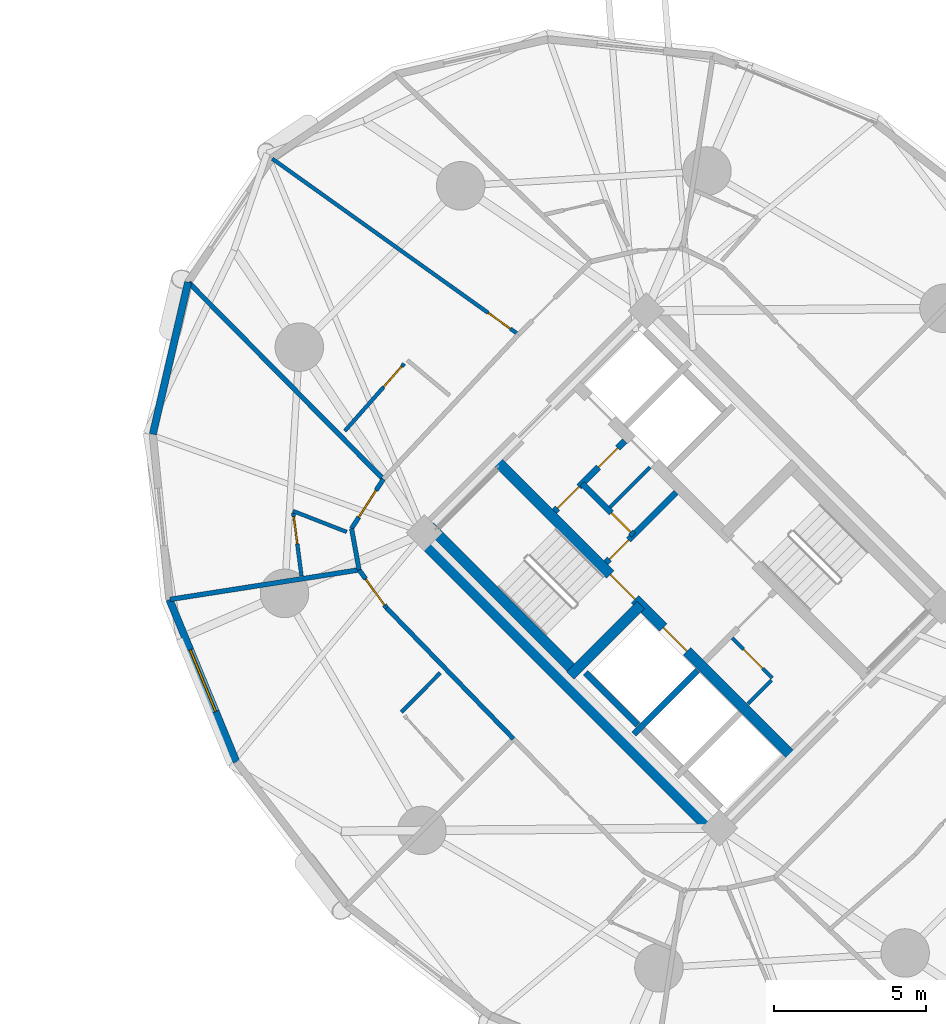
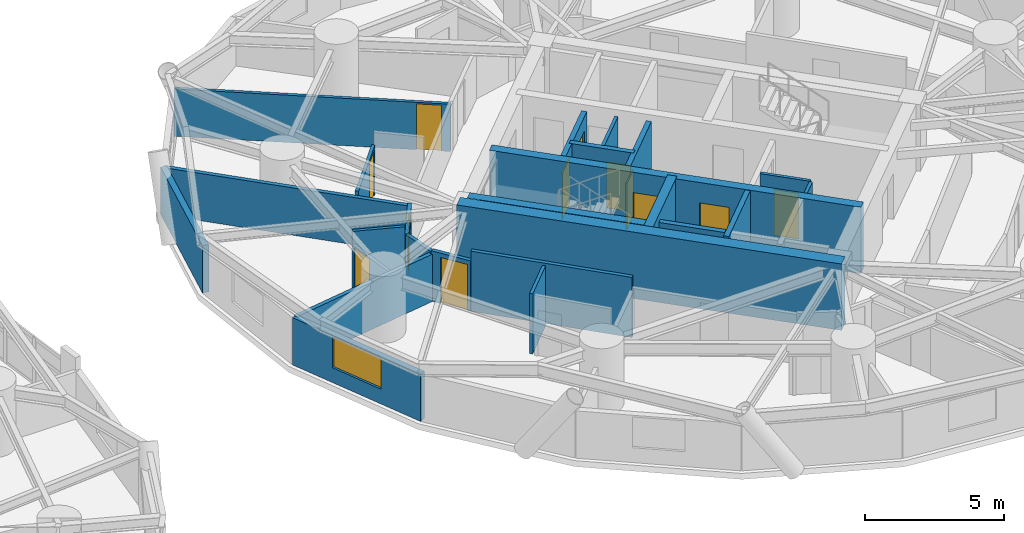
# One storey, part 13 of 18: 25 walls, 12 doors, 1 window, 13 openings.
"""IFC4 building model written with IfcOpenShell, lengths in metres."""

from ifc_helpers import new_model, si_unit, direction, frame, frame_2d, origin, place, context, subcontext, project, spatial, rectangle, extrude, source, transform, mapped, material, layer, layer_set, type_object, element, fill, save


model = new_model("IFC4")

# Units and contexts
model_context = context("Model", 3, precision=1e-05, world=origin(), true_north=direction((0.0, 1.0)))
body_context = subcontext(model_context, "Body", "Model", "MODEL_VIEW")
ifc_project = project(units=[si_unit("LENGTHUNIT", "METRE"), si_unit("AREAUNIT", "SQUARE_METRE"), si_unit("VOLUMEUNIT", "CUBIC_METRE"), si_unit("PLANEANGLEUNIT", "RADIAN"), si_unit("MASSUNIT", "GRAM", prefix="KILO")], contexts=[model_context])

# Site, building, storey
site_placement = place(None, origin())
site = spatial("IfcSite", under=ifc_project, at=site_placement, CompositionType="ELEMENT")
building_placement = place(site_placement, origin())
building = spatial("IfcBuilding", under=site, at=building_placement, Name="Cununo Teusaquillo Station Towers", CompositionType="ELEMENT")
storey_placement = place(building_placement, frame((0.0, 0.0, 54.010009765625)))
storey = spatial("IfcBuildingStorey", under=building, at=storey_placement, Name="L16", CompositionType="ELEMENT", Elevation=54.010009765625)

# Walls
ifc_material_1 = material(Name="Concrete C50/60", Category="concrete")
ifc_layer_1 = layer(ifc_material_1, 0.199951171875)
ifc_layer_set_1 = layer_set([ifc_layer_1], Name="Concrete C50/60")
wall_type_1 = type_object("IfcWallType", Name="WL-CORE-200", PredefinedType="SHEAR", material=ifc_layer_set_1)
wall_1_placement = place(storey_placement, frame((55.8876953125, 19.0693359375, 0.0), z_axis=(0.0, 0.0, 1.0), x_axis=(0.707106781187, 0.707106781187, 0.0)))
element("IfcWall", 1, at=wall_1_placement, inside=storey, type_object=wall_type_1, Name="L16 Tower B Firefighting Lift Shaft South Shear Wall", PredefinedType="SHEAR", context=body_context, shape_type="SweptSolid", body=[
    extrude(rectangle(XDim=2.969970703125, YDim=0.199951171875, at=frame_2d((1.48486328125, 0.0))), origin(), (0.0, 0.0, 1.0), 2.909912109375),
])
wall_2_placement = place(storey_placement, frame((56.01513671875, 19.366455078125, 0.0), z_axis=(0.0, 0.0, 1.0), x_axis=(-0.707106781187, 0.707106781187, 0.0)))
element("IfcWall", 2, at=wall_2_placement, inside=storey, type_object=wall_type_1, Name="L16 Tower B Firefighting Lift Shaft Rear Shear Wall", PredefinedType="SHEAR", context=body_context, shape_type="SweptSolid", body=[
    extrude(rectangle(XDim=2.43994140625, YDim=0.199951171875, at=frame_2d((1.219970703125, 0.0))), origin(), (0.0, 0.0, 1.0), 2.909912109375),
])

# Wall, openings, doors
ifc_material_2 = material(Name="Concrete C50/60", Category="concrete")
ifc_layer_2 = layer(ifc_material_2, 0.35009765625)
ifc_layer_set_2 = layer_set([ifc_layer_2], Name="Concrete C50/60")
wall_type_2 = type_object("IfcWallType", Name="WL-CORE-350", PredefinedType="SHEAR", material=ifc_layer_set_2)
wall_3_placement = place(storey_placement, frame((61.095703125, 18.337646484375, 0.0), z_axis=(0.0, 0.0, 1.0), x_axis=(-0.707106781187, 0.707106781187, 0.0)))
wall_3 = element("IfcWall", 3, at=wall_3_placement, inside=storey, type_object=wall_type_2, Name="L16 Tower B Core Shear Wall IW", PredefinedType="SHEAR", context=body_context, shape_type="SweptSolid", body=[
    extrude(rectangle(XDim=13.800048828125, YDim=0.35009765625, at=frame_2d((6.89990234375, 0.0))), origin(), (0.0, 0.0, 1.0), 2.909912109375),
])
shared_shape_1 = source(origin(), body_context, "Body", "SweptSolid", [
    extrude(rectangle(XDim=1.10009765625, YDim=2.014892578125, at=frame_2d((0.550048828125, 1.00732421875))), frame((0.0, 0.18505859375, 0.0), z_axis=(0.0, -1.0, 0.0), x_axis=(1.0, 0.0, 0.0)), (0.0, 0.0, 1.0), 0.3701171875),
])
opening_1_placement = place(wall_3_placement, frame((4.89990234375, 0.0, 0.0)))
opening_1 = element("IfcOpeningElement", 4, at=opening_1_placement, cuts=wall_3, Name="Opening LD-01", PredefinedType="OPENING", context=body_context, shape_type="MappedRepresentation", body=[
    mapped(shared_shape_1, transform((0.0, 0.0, 0.0), x_axis=(1.0, 0.0, 0.0), y_axis=(0.0, 1.0, 0.0), z_axis=(0.0, 0.0, 1.0), scale=1.0)),
])
shared_shape_2 = source(origin(), body_context, "Body", "SweptSolid", [
    extrude(rectangle(XDim=1.14990234375, YDim=2.02001953125, at=frame_2d((0.574951171875, 1.010009765625))), frame((0.0, 0.18505859375, 0.0), z_axis=(0.0, -1.0, 0.0), x_axis=(1.0, 0.0, 0.0)), (0.0, 0.0, 1.0), 0.3701171875),
])
opening_2_placement = place(wall_3_placement, frame((7.320068359375, 0.0, 0.0)))
opening_2 = element("IfcOpeningElement", 5, at=opening_2_placement, cuts=wall_3, Name="Opening D-ST1", PredefinedType="OPENING", context=body_context, shape_type="MappedRepresentation", body=[
    mapped(shared_shape_2, transform((0.0, 0.0, 0.0), x_axis=(1.0, 0.0, 0.0), y_axis=(0.0, 1.0, 0.0), z_axis=(0.0, 0.0, 1.0), scale=1.0)),
])
ifc_material_3 = material(Name="Galvanised fire-rated hollow steel door assembly", Category="steel")
door_type_1 = type_object("IfcDoorType", Name="DR-LIFT-1100", OperationType="SLIDING_TO_LEFT", PredefinedType="DOOR", material=ifc_material_3)
shared_shape_3 = source(origin(), body_context, "Body", "SweptSolid", [
    extrude(rectangle(XDim=1.10009765625, YDim=2.014892578125, at=frame_2d((0.550048828125, 1.00732421875))), frame((0.0, 0.02490234375, 0.0), z_axis=(0.0, -1.0, 0.0), x_axis=(1.0, 0.0, 0.0)), (0.0, 0.0, 1.0), 0.050048828125),
])
door_1_placement = place(opening_1_placement, origin())
door_1 = element("IfcDoor", 6, at=door_1_placement, inside=storey, type_object=door_type_1, Name="L16 Lift FL-T2 Sliding Landing Door", OperationType="SLIDING_TO_RIGHT", OverallHeight=2.014892578125, OverallWidth=1.10009765625, PredefinedType="DOOR", context=body_context, shape_type="MappedRepresentation", body=[
    mapped(shared_shape_3, transform((0.0, 0.0, 0.0), x_axis=(1.0, 0.0, 0.0), y_axis=(0.0, 1.0, 0.0), z_axis=(0.0, 0.0, 1.0), scale=1.0)),
])
fill(opening_1, door_1)
ifc_material_4 = material(Name="Galvanised fire-rated hollow steel door assembly", Category="steel")
door_type_2 = type_object("IfcDoorType", Name="DR-STAIR-1150", OperationType="NOTDEFINED", PredefinedType="DOOR", material=ifc_material_4)
shared_shape_4 = source(origin(), body_context, "Body", "SweptSolid", [
    extrude(rectangle(XDim=1.14990234375, YDim=2.02001953125, at=frame_2d((0.574951171875, 1.010009765625))), frame((0.0, 0.02490234375, 0.0), z_axis=(0.0, -1.0, 0.0), x_axis=(1.0, 0.0, 0.0)), (0.0, 0.0, 1.0), 0.050048828125),
])
door_2_placement = place(opening_2_placement, origin())
door_2 = element("IfcDoor", 7, at=door_2_placement, inside=storey, type_object=door_type_2, Name="L16 Tower B Exit Stair 1 Fire Door", OperationType="SINGLE_SWING_LEFT", OverallHeight=2.02001953125, OverallWidth=1.14990234375, PredefinedType="DOOR", context=body_context, shape_type="MappedRepresentation", body=[
    mapped(shared_shape_4, transform((0.0, 0.0, 0.0), x_axis=(1.0, 0.0, 0.0), y_axis=(0.0, 1.0, 0.0), z_axis=(0.0, 0.0, 1.0), scale=1.0)),
])
fill(opening_2, door_2)

# Walls
wall_4_placement = place(storey_placement, frame((53.922119140625, 21.14111328125, 0.0), z_axis=(0.0, 0.0, 1.0), x_axis=(-0.707106781187, 0.707106781187, 0.0)))
element("IfcWall", 8, at=wall_4_placement, inside=storey, type_object=wall_type_2, Name="L16 Tower B Core Shear Wall ST1W", PredefinedType="SHEAR", context=body_context, shape_type="SweptSolid", body=[
    extrude(rectangle(XDim=6.7451171875, YDim=0.35009765625, at=frame_2d((3.37255859375, 0.0))), origin(), (0.0, 0.0, 1.0), 2.909912109375),
])
wall_5_placement = place(storey_placement, frame((53.7841796875, 21.00341796875, 0.0), z_axis=(0.0, 0.0, 1.0), x_axis=(0.707106781187, 0.707106781187, 0.0)))
element("IfcWall", 9, at=wall_5_placement, inside=storey, type_object=wall_type_2, Name="L16 Tower B Core Shear Wall ST1S", PredefinedType="SHEAR", context=body_context, shape_type="SweptSolid", body=[
    extrude(rectangle(XDim=3.284912109375, YDim=0.35009765625, at=frame_2d((1.642578125, 0.0))), origin(), (0.0, 0.0, 1.0), 2.909912109375),
])
ifc_material_5 = material(Name="Concrete C60/75", Category="concrete")
ifc_layer_3 = layer(ifc_material_5, 0.5)
ifc_layer_set_3 = layer_set([ifc_layer_3], Name="Concrete C60/75")
wall_type_3 = type_object("IfcWallType", Name="WL-CORE-500", PredefinedType="SHEAR", material=ifc_layer_set_3)
wall_6_placement = place(storey_placement, frame((58.772705078125, 15.6611328125, 0.0), z_axis=(0.0, 0.0, 1.0), x_axis=(-0.707106781187, 0.707106781187, 0.0)))
element("IfcWall", 10, at=wall_6_placement, inside=storey, type_object=wall_type_3, Name="L16 Tower B Core Shear Wall W", PredefinedType="SHEAR", context=body_context, shape_type="SweptSolid", body=[
    extrude(rectangle(XDim=14.2998046875, YDim=0.5, at=frame_2d((7.14990234375, 0.0))), origin(), (0.0, 0.0, 1.0), 2.909912109375),
])
ifc_material_6 = material(Name="Precast concrete C40/50", Category="concrete")
ifc_layer_4 = layer(ifc_material_6, 0.239990234375)
ifc_layer_set_4 = layer_set([ifc_layer_4], Name="Precast concrete C40/50")
wall_type_4 = type_object("IfcWallType", Name="WL-EXT-240", PredefinedType="SOLIDWALL", material=ifc_layer_set_4)
wall_7_placement = place(storey_placement, frame((40.023681640625, 28.95654296875, 0.0), z_axis=(0.0, 0.0, 1.0), x_axis=(0.225833060959, 0.974166016949, 0.0)))
element("IfcWall", 11, at=wall_7_placement, inside=storey, type_object=wall_type_4, Name="L16 Tower B Exterior Facade Wall C06", PredefinedType="SOLIDWALL", context=body_context, shape_type="SweptSolid", body=[
    extrude(rectangle(XDim=5.14599609375, YDim=0.239990234375, at=frame_2d((2.572998046875, 0.0))), origin(), (0.0, 0.0, 1.0), 2.072998046875),
])

# Wall, opening, window
wall_8_placement = place(storey_placement, frame((42.77783203125, 18.155517578125, 0.0), z_axis=(0.0, 0.0, 1.0), x_axis=(-0.381027682565, 0.924563629567, 0.0)))
wall_8 = element("IfcWall", 12, at=wall_8_placement, inside=storey, type_object=wall_type_4, Name="L16 Tower B Exterior Facade Wall C08", PredefinedType="SOLIDWALL", context=body_context, shape_type="SweptSolid", body=[
    extrude(rectangle(XDim=5.78857421875, YDim=0.239990234375, at=frame_2d((2.894287109375, 0.0))), origin(), (0.0, 0.0, 1.0), 2.072998046875),
])
shared_shape_5 = source(origin(), body_context, "Body", "SweptSolid", [
    extrude(rectangle(XDim=2.199951171875, YDim=1.35009765625, at=frame_2d((1.10009765625, 0.675048828125))), frame((0.0, 0.1298828125, 0.0), z_axis=(0.0, -1.0, 0.0), x_axis=(1.0, 0.0, 0.0)), (0.0, 0.0, 1.0), 0.260009765625),
])
opening_3_placement = place(wall_8_placement, frame((1.7939453125, 0.0, 0.64990234375)))
opening_3 = element("IfcOpeningElement", 13, at=opening_3_placement, cuts=wall_8, Name="Opening WN-01", PredefinedType="OPENING", context=body_context, shape_type="MappedRepresentation", body=[
    mapped(shared_shape_5, transform((0.0, 0.0, 0.0), x_axis=(1.0, 0.0, 0.0), y_axis=(0.0, 1.0, 0.0), z_axis=(0.0, 0.0, 1.0), scale=1.0)),
])
ifc_material_7 = material(Name="Ceramic-fritted dark low-E double glazing", Category="glass")
window_type = type_object("IfcWindowType", Name="WIN-FRIT-2200", PartitioningType="DOUBLE_PANEL_VERTICAL", PredefinedType="WINDOW", material=ifc_material_7)
shared_shape_6 = source(origin(), body_context, "Body", "SweptSolid", [
    extrude(rectangle(XDim=2.199951171875, YDim=1.35009765625, at=frame_2d((1.10009765625, 0.675048828125))), frame((0.0, 0.030029296875, 0.0), z_axis=(0.0, -1.0, 0.0), x_axis=(1.0, 0.0, 0.0)), (0.0, 0.0, 1.0), 0.06005859375),
])
window_placement = place(opening_3_placement, origin())
window = element("IfcWindow", 14, at=window_placement, inside=storey, type_object=window_type, Name="L16 Tower B Facade Window C08", OverallHeight=1.35009765625, OverallWidth=2.199951171875, PartitioningType="DOUBLE_PANEL_VERTICAL", PredefinedType="WINDOW", context=body_context, shape_type="MappedRepresentation", body=[
    mapped(shared_shape_6, transform((0.0, 0.0, 0.0), x_axis=(1.0, 0.0, 0.0), y_axis=(0.0, 1.0, 0.0), z_axis=(0.0, 0.0, 1.0), scale=1.0)),
])
fill(opening_3, window)

# Wall, opening, door
ifc_material_8 = material(Name="Fire-rated gypsum plasterboard partition assembly", Category="gypsum")
ifc_layer_5 = layer(ifc_material_8, 0.125)
ifc_layer_set_5 = layer_set([ifc_layer_5], Name="Fire-rated gypsum plasterboard partition assembly")
wall_type_5 = type_object("IfcWallType", Name="WL-PART-125", PredefinedType="PARTITIONING", material=ifc_layer_set_5)
wall_9_placement = place(storey_placement, frame((60.448486328125, 20.9150390625, 0.0), z_axis=(0.0, 0.0, 1.0), x_axis=(-0.707106781187, 0.707106781187, 0.0)))
wall_9 = element("IfcWall", 15, at=wall_9_placement, inside=storey, type_object=wall_type_5, Name="L16 Tower B North-West Lobby Store East Wall", PredefinedType="PARTITIONING", context=body_context, shape_type="SweptSolid", body=[
    extrude(rectangle(XDim=1.869873046875, YDim=0.125, at=frame_2d((0.93505859375, 0.0))), origin(), (0.0, 0.0, 1.0), 2.635009765625),
])
shared_shape_7 = source(origin(), body_context, "Body", "SweptSolid", [
    extrude(rectangle(XDim=0.89990234375, YDim=2.0048828125, at=frame_2d((0.449951171875, 1.00244140625))), frame((0.0, 0.072509765625, 0.0), z_axis=(0.0, -1.0, 0.0), x_axis=(1.0, 0.0, 0.0)), (0.0, 0.0, 1.0), 0.14501953125),
])
opening_4_placement = place(wall_9_placement, frame((0.449951171875, 0.0, 0.0)))
opening_4 = element("IfcOpeningElement", 16, at=opening_4_placement, cuts=wall_9, Name="Opening D-SR1", PredefinedType="OPENING", context=body_context, shape_type="MappedRepresentation", body=[
    mapped(shared_shape_7, transform((0.0, 0.0, 0.0), x_axis=(1.0, 0.0, 0.0), y_axis=(0.0, 1.0, 0.0), z_axis=(0.0, 0.0, 1.0), scale=1.0)),
])
ifc_material_9 = material(Name="Galvanised fire-rated hollow steel door assembly", Category="steel")
door_type_3 = type_object("IfcDoorType", Name="DR-STORE-900", OperationType="NOTDEFINED", PredefinedType="DOOR", material=ifc_material_9)
shared_shape_8 = source(origin(), body_context, "Body", "SweptSolid", [
    extrude(rectangle(XDim=0.89990234375, YDim=2.0048828125, at=frame_2d((0.449951171875, 1.00244140625))), frame((0.0, 0.02490234375, 0.0), z_axis=(0.0, -1.0, 0.0), x_axis=(1.0, 0.0, 0.0)), (0.0, 0.0, 1.0), 0.050048828125),
])
door_3_placement = place(opening_4_placement, origin())
door_3 = element("IfcDoor", 17, at=door_3_placement, inside=storey, type_object=door_type_3, Name="L16 Tower B South Lobby Data Store Door", OperationType="SINGLE_SWING_LEFT", OverallHeight=2.0048828125, OverallWidth=0.89990234375, PredefinedType="DOOR", context=body_context, shape_type="MappedRepresentation", body=[
    mapped(shared_shape_8, transform((0.0, 0.0, 0.0), x_axis=(1.0, 0.0, 0.0), y_axis=(0.0, 1.0, 0.0), z_axis=(0.0, 0.0, 1.0), scale=1.0)),
])
fill(opening_4, door_3)

# Walls
wall_10_placement = place(storey_placement, frame((59.642578125, 20.06640625, 0.0), z_axis=(0.0, 0.0, 1.0), x_axis=(0.707106781187, 0.707106781187, 0.0)))
element("IfcWall", 18, at=wall_10_placement, inside=storey, type_object=wall_type_5, Name="L16 Tower B North-West Lobby Store South Wall", PredefinedType="PARTITIONING", context=body_context, shape_type="SweptSolid", body=[
    extrude(rectangle(XDim=1.10009765625, YDim=0.125, at=frame_2d((0.550048828125, 0.0))), origin(), (0.0, 0.0, 1.0), 2.635009765625),
])
wall_11_placement = place(storey_placement, frame((55.0888671875, 26.54345703125, 0.0), z_axis=(0.0, 0.0, 1.0), x_axis=(0.707106781187, 0.707106781187, 0.0)))
element("IfcWall", 19, at=wall_11_placement, inside=storey, type_object=wall_type_5, Name="L16 Tower B Core Horizontal Split Wall", PredefinedType="PARTITIONING", context=body_context, shape_type="SweptSolid", body=[
    extrude(rectangle(XDim=1.8798828125, YDim=0.125, at=frame_2d((0.93994140625, 0.0))), origin(), (0.0, 0.0, 1.0), 2.635009765625),
])

# Wall, opening, door
wall_12_placement = place(storey_placement, frame((52.078857421875, 32.244384765625, 0.0), z_axis=(0.0, 0.0, 1.0), x_axis=(-0.813888867537, 0.581020577346, 0.0)))
wall_12 = element("IfcWall", 20, at=wall_12_placement, inside=storey, type_object=wall_type_5, Name="L16 Tower B Presidential Hospitality Suite Suite Subdividing Wall", PredefinedType="PARTITIONING", context=body_context, shape_type="SweptSolid", body=[
    extrude(rectangle(XDim=9.9765625, YDim=0.125, at=frame_2d((4.98828125, 0.0))), origin(), (0.0, 0.0, 1.0), 2.072998046875),
])
opening_5_placement = place(wall_12_placement, frame((0.330078125, 0.0, 0.0)))
opening_5 = element("IfcOpeningElement", 21, at=opening_5_placement, cuts=wall_12, Name="Opening D-IN1", PredefinedType="OPENING", context=body_context, shape_type="MappedRepresentation", body=[
    mapped(shared_shape_7, transform((0.0, 0.0, 0.0), x_axis=(1.0, 0.0, 0.0), y_axis=(0.0, 1.0, 0.0), z_axis=(0.0, 0.0, 1.0), scale=1.0)),
])
ifc_material_10 = material(Name="Acoustic solid-core hardwood leaf assembly", Category="wood")
door_type_4 = type_object("IfcDoorType", Name="DR-INT-900", OperationType="NOTDEFINED", PredefinedType="DOOR", material=ifc_material_10)
door_4_placement = place(opening_5_placement, origin())
door_4 = element("IfcDoor", 22, at=door_4_placement, inside=storey, type_object=door_type_4, Name="L16 Tower B Presidential Hospitality Suite Suite Connecting Door", OperationType="SINGLE_SWING_LEFT", OverallHeight=2.0048828125, OverallWidth=0.89990234375, PredefinedType="DOOR", context=body_context, shape_type="MappedRepresentation", body=[
    mapped(shared_shape_8, transform((0.0, 0.0, 0.0), x_axis=(1.0, 0.0, 0.0), y_axis=(0.0, 1.0, 0.0), z_axis=(0.0, 0.0, 1.0), scale=1.0)),
])
fill(opening_5, door_4)

wall_13_placement = place(storey_placement, frame((48.312744140625, 31.2802734375, 0.0), z_axis=(0.0, 0.0, 1.0), x_axis=(-0.662230126621, -0.749300513409, 0.0)))
wall_13 = element("IfcWall", 23, at=wall_13_placement, inside=storey, type_object=wall_type_5, Name="L16 Tower B S02 En-suite Back Wall", PredefinedType="PARTITIONING", context=body_context, shape_type="SweptSolid", body=[
    extrude(rectangle(XDim=2.958251953125, YDim=0.125, at=frame_2d((1.47900390625, 0.0))), origin(), (0.0, 0.0, 1.0), 2.158935546875),
])
opening_6_placement = place(wall_13_placement, frame((0.1201171875, 0.0, 0.0)))
opening_6 = element("IfcOpeningElement", 24, at=opening_6_placement, cuts=wall_13, Name="Opening D-IN1", PredefinedType="OPENING", context=body_context, shape_type="MappedRepresentation", body=[
    mapped(shared_shape_7, transform((0.0, 0.0, 0.0), x_axis=(1.0, 0.0, 0.0), y_axis=(0.0, 1.0, 0.0), z_axis=(0.0, 0.0, 1.0), scale=1.0)),
])
door_5_placement = place(opening_6_placement, origin())
door_5 = element("IfcDoor", 25, at=door_5_placement, inside=storey, type_object=door_type_4, Name="L16 Tower B S02 En-suite Bathroom Door", OperationType="SINGLE_SWING_RIGHT", OverallHeight=2.0048828125, OverallWidth=0.89990234375, PredefinedType="DOOR", context=body_context, shape_type="MappedRepresentation", body=[
    mapped(shared_shape_8, transform((0.0, 0.0, 0.0), x_axis=(1.0, 0.0, 0.0), y_axis=(0.0, 1.0, 0.0), z_axis=(0.0, 0.0, 1.0), scale=1.0)),
])
fill(opening_6, door_5)

# Wall
wall_14_placement = place(storey_placement, frame((46.415771484375, 25.734619140625, 0.0), z_axis=(0.0, 0.0, 1.0), x_axis=(-0.931623241188, 0.363425558373, 0.0)))
element("IfcWall", 26, at=wall_14_placement, inside=storey, type_object=wall_type_5, Name="L16 Tower B S03 En-suite Side Wall", PredefinedType="PARTITIONING", context=body_context, shape_type="SweptSolid", body=[
    extrude(rectangle(XDim=1.900390625, YDim=0.125, at=frame_2d((0.9501953125, 0.0))), origin(), (0.0, 0.0, 1.0), 2.635009765625),
])

# Wall, opening, door
wall_15_placement = place(storey_placement, frame((44.653564453125, 26.360595703125, 0.0), z_axis=(0.0, 0.0, 1.0), x_axis=(0.129433729192, -0.991588074629, 0.0)))
wall_15 = element("IfcWall", 27, at=wall_15_placement, inside=storey, type_object=wall_type_5, Name="L16 Tower B S03 En-suite Back Wall", PredefinedType="PARTITIONING", context=body_context, shape_type="SweptSolid", body=[
    extrude(rectangle(XDim=2.097412109375, YDim=0.125, at=frame_2d((1.048828125, 0.0))), origin(), (0.0, 0.0, 1.0), 2.072998046875),
])
opening_7_placement = place(wall_15_placement, frame((0.1201171875, 0.0, 0.0)))
opening_7 = element("IfcOpeningElement", 28, at=opening_7_placement, cuts=wall_15, Name="Opening D-IN1", PredefinedType="OPENING", context=body_context, shape_type="MappedRepresentation", body=[
    mapped(shared_shape_7, transform((0.0, 0.0, 0.0), x_axis=(1.0, 0.0, 0.0), y_axis=(0.0, 1.0, 0.0), z_axis=(0.0, 0.0, 1.0), scale=1.0)),
])
door_6_placement = place(opening_7_placement, origin())
door_6 = element("IfcDoor", 29, at=door_6_placement, inside=storey, type_object=door_type_4, Name="L16 Tower B S03 En-suite Bathroom Door", OperationType="SINGLE_SWING_RIGHT", OverallHeight=2.0048828125, OverallWidth=0.89990234375, PredefinedType="DOOR", context=body_context, shape_type="MappedRepresentation", body=[
    mapped(shared_shape_8, transform((0.0, 0.0, 0.0), x_axis=(1.0, 0.0, 0.0), y_axis=(0.0, 1.0, 0.0), z_axis=(0.0, 0.0, 1.0), scale=1.0)),
])
fill(opening_7, door_6)

# Wall
wall_16_placement = place(storey_placement, frame((49.498291015625, 21.087158203125, 0.0), z_axis=(0.0, 0.0, 1.0), x_axis=(-0.702129708151, -0.71204906638, 0.0)))
element("IfcWall", 30, at=wall_16_placement, inside=storey, type_object=wall_type_5, Name="L16 Tower B S04 En-suite Side Wall", PredefinedType="PARTITIONING", context=body_context, shape_type="SweptSolid", body=[
    extrude(rectangle(XDim=1.8212890625, YDim=0.125, at=frame_2d((0.91064453125, 0.0))), origin(), (0.0, 0.0, 1.0), 2.635009765625),
])

# Wall, opening, door
ifc_material_11 = material(Name="Fire-rated gypsum plasterboard partition assembly", Category="gypsum")
ifc_layer_6 = layer(ifc_material_11, 0.14990234375)
ifc_layer_set_6 = layer_set([ifc_layer_6], Name="Fire-rated gypsum plasterboard partition assembly")
wall_type_6 = type_object("IfcWallType", Name="WL-PART-150", PredefinedType="PARTITIONING", material=ifc_layer_set_6)
wall_17_placement = place(storey_placement, frame((47.623046875, 27.475341796875, 0.0), z_axis=(0.0, 0.0, 1.0), x_axis=(-0.54158041545, -0.840648947898, 0.0)))
wall_17 = element("IfcWall", 31, at=wall_17_placement, inside=storey, type_object=wall_type_6, Name="L16 Tower B Corridor Ring Wall C06", PredefinedType="PARTITIONING", context=body_context, shape_type="SweptSolid", body=[
    extrude(rectangle(XDim=1.933837890625, YDim=0.14990234375, at=frame_2d((0.966796875, 0.0))), origin(), (0.0, 0.0, 1.0), 2.158935546875),
])
shared_shape_9 = source(origin(), body_context, "Body", "SweptSolid", [
    extrude(rectangle(XDim=1.050048828125, YDim=2.014892578125, at=frame_2d((0.52490234375, 1.00732421875))), frame((0.0, 0.0849609375, 0.0), z_axis=(0.0, -1.0, 0.0), x_axis=(1.0, 0.0, 0.0)), (0.0, 0.0, 1.0), 0.169921875),
])
opening_8_placement = place(wall_17_placement, frame((0.44189453125, 0.0, 0.0)))
opening_8 = element("IfcOpeningElement", 32, at=opening_8_placement, cuts=wall_17, Name="Opening D-SU1", PredefinedType="OPENING", context=body_context, shape_type="MappedRepresentation", body=[
    mapped(shared_shape_9, transform((0.0, 0.0, 0.0), x_axis=(1.0, 0.0, 0.0), y_axis=(0.0, 1.0, 0.0), z_axis=(0.0, 0.0, 1.0), scale=1.0)),
])
ifc_material_12 = material(Name="Acoustic solid-core hardwood leaf assembly", Category="wood")
door_type_5 = type_object("IfcDoorType", Name="DR-SUITE-1050", OperationType="NOTDEFINED", PredefinedType="DOOR", material=ifc_material_12)
shared_shape_10 = source(origin(), body_context, "Body", "SweptSolid", [
    extrude(rectangle(XDim=1.050048828125, YDim=2.014892578125, at=frame_2d((0.52490234375, 1.00732421875))), frame((0.0, 0.02490234375, 0.0), z_axis=(0.0, -1.0, 0.0), x_axis=(1.0, 0.0, 0.0)), (0.0, 0.0, 1.0), 0.050048828125),
])
door_7_placement = place(opening_8_placement, origin())
door_7 = element("IfcDoor", 33, at=door_7_placement, inside=storey, type_object=door_type_5, Name="L16 Tower B Chancellor Corner Hotel Suite Entrance Door", OperationType="SINGLE_SWING_LEFT", OverallHeight=2.014892578125, OverallWidth=1.050048828125, PredefinedType="DOOR", context=body_context, shape_type="MappedRepresentation", body=[
    mapped(shared_shape_10, transform((0.0, 0.0, 0.0), x_axis=(1.0, 0.0, 0.0), y_axis=(0.0, 1.0, 0.0), z_axis=(0.0, 0.0, 1.0), scale=1.0)),
])
fill(opening_8, door_7)

# Wall
wall_18_placement = place(storey_placement, frame((46.57568359375, 25.849609375, 0.0), z_axis=(0.0, 0.0, 1.0), x_axis=(0.178962865041, -0.983855829345, 0.0)))
element("IfcWall", 34, at=wall_18_placement, inside=storey, type_object=wall_type_6, Name="L16 Tower B Corridor Ring Wall C07", PredefinedType="PARTITIONING", context=body_context, shape_type="SweptSolid", body=[
    extrude(rectangle(XDim=1.387451171875, YDim=0.14990234375, at=frame_2d((0.69384765625, 0.0))), origin(), (0.0, 0.0, 1.0), 2.158935546875),
])

# Wall, opening, door
wall_19_placement = place(storey_placement, frame((46.823974609375, 24.484619140625, 0.0), z_axis=(0.0, 0.0, 1.0), x_axis=(0.584890953925, -0.811111935565, 0.0)))
wall_19 = element("IfcWall", 35, at=wall_19_placement, inside=storey, type_object=wall_type_6, Name="L16 Tower B Corridor Ring Wall C08", PredefinedType="PARTITIONING", context=body_context, shape_type="SweptSolid", body=[
    extrude(rectangle(XDim=1.546630859375, YDim=0.14990234375, at=frame_2d((0.7734375, 0.0))), origin(), (0.0, 0.0, 1.0), 2.205078125),
])
opening_9_placement = place(wall_19_placement, frame((0.376708984375, 0.0, 0.0)))
opening_9 = element("IfcOpeningElement", 36, at=opening_9_placement, cuts=wall_19, Name="Opening D-SU1", PredefinedType="OPENING", context=body_context, shape_type="MappedRepresentation", body=[
    mapped(shared_shape_9, transform((0.0, 0.0, 0.0), x_axis=(1.0, 0.0, 0.0), y_axis=(0.0, 1.0, 0.0), z_axis=(0.0, 0.0, 1.0), scale=1.0)),
])
door_8_placement = place(opening_9_placement, origin())
door_8 = element("IfcDoor", 37, at=door_8_placement, inside=storey, type_object=door_type_5, Name="L16 Tower B Consular Hospitality Suite Entrance Door", OperationType="SINGLE_SWING_LEFT", OverallHeight=2.014892578125, OverallWidth=1.050048828125, PredefinedType="DOOR", context=body_context, shape_type="MappedRepresentation", body=[
    mapped(shared_shape_10, transform((0.0, 0.0, 0.0), x_axis=(1.0, 0.0, 0.0), y_axis=(0.0, 1.0, 0.0), z_axis=(0.0, 0.0, 1.0), scale=1.0)),
])
fill(opening_9, door_8)

# Walls
wall_20_placement = place(storey_placement, frame((47.728515625, 23.230224609375, 0.0), z_axis=(0.0, 0.0, 1.0), x_axis=(0.696119834292, -0.717925606386, 0.0)))
element("IfcWall", 38, at=wall_20_placement, inside=storey, type_object=wall_type_6, Name="L16 Tower B Corridor Ring Wall C09", PredefinedType="PARTITIONING", context=body_context, shape_type="SweptSolid", body=[
    extrude(rectangle(XDim=6.012451171875, YDim=0.14990234375, at=frame_2d((3.00634765625, 0.0))), origin(), (0.0, 0.0, 1.0), 2.635009765625),
])
ifc_material_13 = material(Name="Fire-rated gypsum plasterboard partition assembly", Category="gypsum")
ifc_layer_7 = layer(ifc_material_13, 0.159912109375)
ifc_layer_set_7 = layer_set([ifc_layer_7], Name="Fire-rated gypsum plasterboard partition assembly")
wall_type_7 = type_object("IfcWallType", Name="WL-PART-160", PredefinedType="PARTITIONING", material=ifc_layer_set_7)
wall_21_placement = place(storey_placement, frame((47.623046875, 27.475341796875, 0.0), z_axis=(0.0, 0.0, 1.0), x_axis=(-0.703512438021, 0.71068294587, 0.0)))
element("IfcWall", 39, at=wall_21_placement, inside=storey, type_object=wall_type_7, Name="L16 Tower B Radial Suite Partition R04", PredefinedType="PARTITIONING", context=body_context, shape_type="SweptSolid", body=[
    extrude(rectangle(XDim=9.124755859375, YDim=0.159912109375, at=frame_2d((4.5625, 0.0))), origin(), (0.0, 0.0, 1.0), 2.072998046875),
])
wall_22_placement = place(storey_placement, frame((46.823974609375, 24.484619140625, 0.0), z_axis=(0.0, 0.0, 1.0), x_axis=(-0.988003730645, -0.154430010784, 0.0)))
element("IfcWall", 40, at=wall_22_placement, inside=storey, type_object=wall_type_7, Name="L16 Tower B Radial Suite Partition R05", PredefinedType="PARTITIONING", context=body_context, shape_type="SweptSolid", body=[
    extrude(rectangle(XDim=6.307861328125, YDim=0.159912109375, at=frame_2d((3.15380859375, 0.0))), origin(), (0.0, 0.0, 1.0), 2.072998046875),
])

# Wall, opening, door
ifc_material_14 = material(Name="Fire-rated gypsum plasterboard partition assembly", Category="gypsum")
ifc_layer_8 = layer(ifc_material_14, 0.199951171875)
ifc_layer_set_8 = layer_set([ifc_layer_8], Name="Fire-rated gypsum plasterboard partition assembly")
wall_type_8 = type_object("IfcWallType", Name="WL-PART-200", PredefinedType="PARTITIONING", material=ifc_layer_set_8)
wall_23_placement = place(storey_placement, frame((54.96142578125, 24.71923828125, 0.0), z_axis=(0.0, 0.0, 1.0), x_axis=(0.707106781187, 0.707106781187, 0.0)))
wall_23 = element("IfcWall", 41, at=wall_23_placement, inside=storey, type_object=wall_type_8, Name="L16 Tower B Firefighting Lift Lobby North Fire Wall", PredefinedType="PARTITIONING", context=body_context, shape_type="SweptSolid", body=[
    extrude(rectangle(XDim=3.280029296875, YDim=0.199951171875, at=frame_2d((1.64013671875, 0.0))), origin(), (0.0, 0.0, 1.0), 2.635009765625),
])
shared_shape_11 = source(origin(), body_context, "Body", "SweptSolid", [
    extrude(rectangle(XDim=0.89990234375, YDim=2.0048828125, at=frame_2d((0.449951171875, 1.00244140625))), frame((0.0, 0.10986328125, 0.0), z_axis=(0.0, -1.0, 0.0), x_axis=(1.0, 0.0, 0.0)), (0.0, 0.0, 1.0), 0.219970703125),
])
opening_10_placement = place(wall_23_placement, frame((0.159912109375, 0.0, 0.0)))
opening_10 = element("IfcOpeningElement", 42, at=opening_10_placement, cuts=wall_23, Name="Opening D-SR1", PredefinedType="OPENING", context=body_context, shape_type="MappedRepresentation", body=[
    mapped(shared_shape_11, transform((0.0, 0.0, 0.0), x_axis=(1.0, 0.0, 0.0), y_axis=(0.0, 1.0, 0.0), z_axis=(0.0, 0.0, 1.0), scale=1.0)),
])
door_9_placement = place(opening_10_placement, origin())
door_9 = element("IfcDoor", 43, at=door_9_placement, inside=storey, type_object=door_type_3, Name="L16 Tower B Stair 1 Protected Vestibule South Door", OperationType="SINGLE_SWING_LEFT", OverallHeight=2.0048828125, OverallWidth=0.89990234375, PredefinedType="DOOR", context=body_context, shape_type="MappedRepresentation", body=[
    mapped(shared_shape_8, transform((0.0, 0.0, 0.0), x_axis=(1.0, 0.0, 0.0), y_axis=(0.0, 1.0, 0.0), z_axis=(0.0, 0.0, 1.0), scale=1.0)),
])
fill(opening_10, door_9)

wall_24_placement = place(storey_placement, frame((55.873779296875, 25.63134765625, 0.0), z_axis=(0.0, 0.0, 1.0), x_axis=(-0.707157639372, 0.707055919343, 0.0)))
wall_24 = element("IfcWall", 44, at=wall_24_placement, inside=storey, type_object=wall_type_8, Name="L16 Tower B Stair 1 Vestibule Partition Wall", PredefinedType="PARTITIONING", context=body_context, shape_type="SweptSolid", body=[
    extrude(rectangle(XDim=2.400146484375, YDim=0.199951171875, at=frame_2d((1.2001953125, 0.0))), origin(), (0.0, 0.0, 1.0), 2.635009765625),
])
opening_11_placement = place(wall_24_placement, frame((0.139892578125, 0.0, 0.0)))
opening_11 = element("IfcOpeningElement", 45, at=opening_11_placement, cuts=wall_24, Name="Opening D-SR1", PredefinedType="OPENING", context=body_context, shape_type="MappedRepresentation", body=[
    mapped(shared_shape_11, transform((0.0, 0.0, 0.0), x_axis=(1.0, 0.0, 0.0), y_axis=(0.0, 1.0, 0.0), z_axis=(0.0, 0.0, 1.0), scale=1.0)),
])
door_10_placement = place(opening_11_placement, origin())
door_10 = element("IfcDoor", 46, at=door_10_placement, inside=storey, type_object=door_type_3, Name="L16 Tower B Core Linen Store Door", OperationType="SINGLE_SWING_RIGHT", OverallHeight=2.0048828125, OverallWidth=0.89990234375, PredefinedType="DOOR", context=body_context, shape_type="MappedRepresentation", body=[
    mapped(shared_shape_8, transform((0.0, 0.0, 0.0), x_axis=(1.0, 0.0, 0.0), y_axis=(0.0, 1.0, 0.0), z_axis=(0.0, 0.0, 1.0), scale=1.0)),
])
fill(opening_11, door_10)

# Wall, openings, doors
wall_25_placement = place(storey_placement, frame((53.264404296875, 26.416259765625, 0.0), z_axis=(0.0, 0.0, 1.0), x_axis=(0.707106781187, 0.707106781187, 0.0)))
wall_25 = element("IfcWall", 47, at=wall_25_placement, inside=storey, type_object=wall_type_8, Name="L16 Tower B North Lift Lobby South Fire Wall", PredefinedType="PARTITIONING", context=body_context, shape_type="SweptSolid", body=[
    extrude(rectangle(XDim=3.280029296875, YDim=0.199951171875, at=frame_2d((1.64013671875, 0.0))), origin(), (0.0, 0.0, 1.0), 2.635009765625),
])
shared_shape_12 = source(origin(), body_context, "Body", "SweptSolid", [
    extrude(rectangle(XDim=1.0, YDim=2.014892578125, at=frame_2d((0.5, 1.00732421875))), frame((0.0, 0.10986328125, 0.0), z_axis=(0.0, -1.0, 0.0), x_axis=(1.0, 0.0, 0.0)), (0.0, 0.0, 1.0), 0.219970703125),
])
opening_12_placement = place(wall_25_placement, frame((0.139892578125, 0.0, 0.0)))
opening_12 = element("IfcOpeningElement", 48, at=opening_12_placement, cuts=wall_25, Name="Opening D-AC1", PredefinedType="OPENING", context=body_context, shape_type="MappedRepresentation", body=[
    mapped(shared_shape_12, transform((0.0, 0.0, 0.0), x_axis=(1.0, 0.0, 0.0), y_axis=(0.0, 1.0, 0.0), z_axis=(0.0, 0.0, 1.0), scale=1.0)),
])
opening_13_placement = place(wall_25_placement, frame((2.050048828125, 0.0, 0.0)))
opening_13 = element("IfcOpeningElement", 49, at=opening_13_placement, cuts=wall_25, Name="Opening D-SR1", PredefinedType="OPENING", context=body_context, shape_type="MappedRepresentation", body=[
    mapped(shared_shape_11, transform((0.0, 0.0, 0.0), x_axis=(1.0, 0.0, 0.0), y_axis=(0.0, 1.0, 0.0), z_axis=(0.0, 0.0, 1.0), scale=1.0)),
])
door_11_placement = place(opening_13_placement, origin())
door_11 = element("IfcDoor", 50, at=door_11_placement, inside=storey, type_object=door_type_3, Name="L16 Tower B Core Comms Room Door", OperationType="SINGLE_SWING_LEFT", OverallHeight=2.0048828125, OverallWidth=0.89990234375, PredefinedType="DOOR", context=body_context, shape_type="MappedRepresentation", body=[
    mapped(shared_shape_8, transform((0.0, 0.0, 0.0), x_axis=(1.0, 0.0, 0.0), y_axis=(0.0, 1.0, 0.0), z_axis=(0.0, 0.0, 1.0), scale=1.0)),
])
fill(opening_13, door_11)
ifc_material_15 = material(Name="Acoustic solid-core hardwood leaf assembly", Category="wood")
door_type_6 = type_object("IfcDoorType", Name="DR-ACC-1000", OperationType="NOTDEFINED", PredefinedType="DOOR", material=ifc_material_15)
shared_shape_13 = source(origin(), body_context, "Body", "SweptSolid", [
    extrude(rectangle(XDim=1.0, YDim=2.014892578125, at=frame_2d((0.5, 1.00732421875))), frame((0.0, 0.02490234375, 0.0), z_axis=(0.0, -1.0, 0.0), x_axis=(1.0, 0.0, 0.0)), (0.0, 0.0, 1.0), 0.050048828125),
])
door_12_placement = place(opening_12_placement, origin())
door_12 = element("IfcDoor", 51, at=door_12_placement, inside=storey, type_object=door_type_6, Name="L16 Tower B North Lift Lobby to Stair 1 Vestibule Door", OperationType="SINGLE_SWING_RIGHT", OverallHeight=2.014892578125, OverallWidth=1.0, PredefinedType="DOOR", context=body_context, shape_type="MappedRepresentation", body=[
    mapped(shared_shape_13, transform((0.0, 0.0, 0.0), x_axis=(1.0, 0.0, 0.0), y_axis=(0.0, 1.0, 0.0), z_axis=(0.0, 0.0, 1.0), scale=1.0)),
])
fill(opening_12, door_12)

save(model, "model.ifc")
